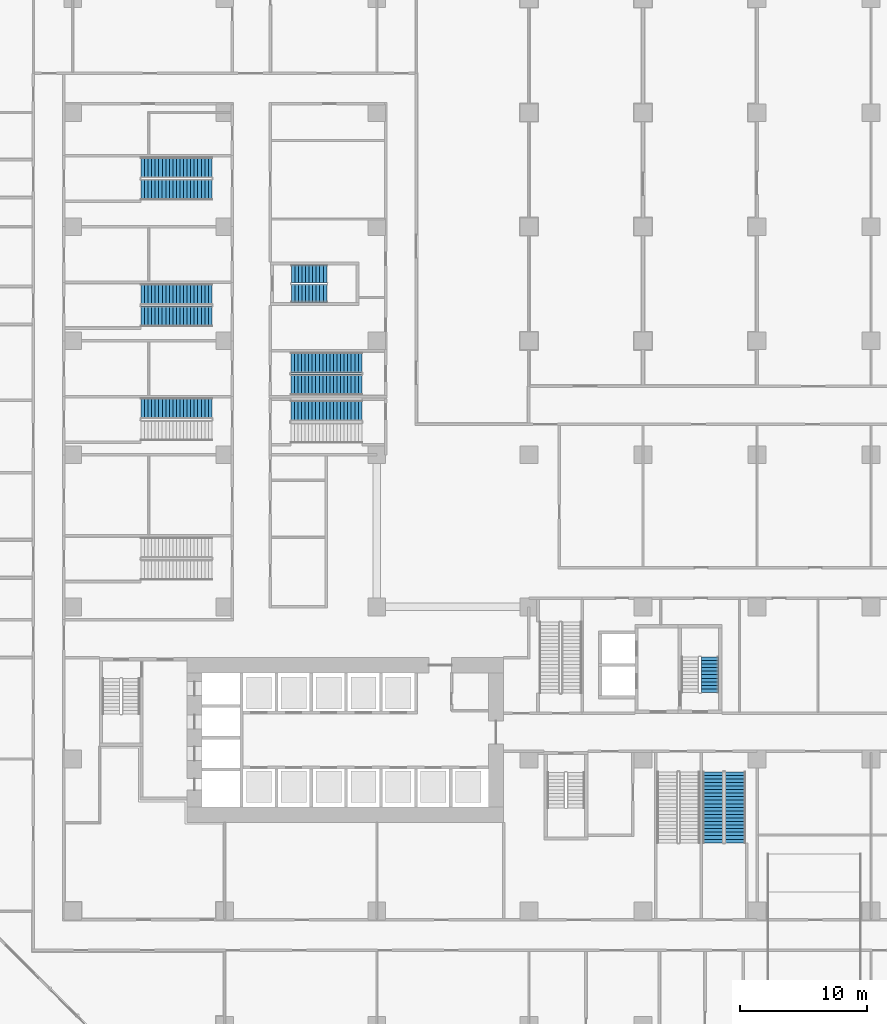
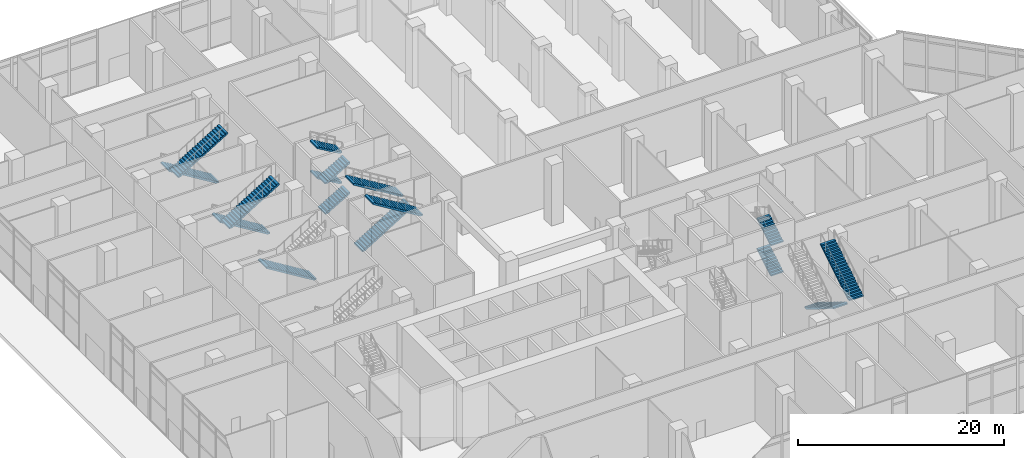
# One storey, part 28 of 34: 16 stair flights, 8 elements without a shape of their own.
"""IFC4 building model written with IfcOpenShell, lengths in metres."""

from ifc_helpers import new_model, si_unit, direction, frame, origin, place, context, subcontext, project, spatial, polyline, outline, extrude, material, type_object, element, aggregate, save


model = new_model("IFC4")

# Units and contexts
model_context = context("Model", 3, precision=1e-05, world=origin(), true_north=direction((0.0, 1.0)))
body_context = subcontext(model_context, "Body", "Model", "MODEL_VIEW")
ifc_project = project(units=[si_unit("LENGTHUNIT", "METRE"), si_unit("AREAUNIT", "SQUARE_METRE"), si_unit("VOLUMEUNIT", "CUBIC_METRE"), si_unit("PLANEANGLEUNIT", "RADIAN"), si_unit("MASSUNIT", "GRAM", prefix="KILO")], contexts=[model_context])

# Site, building, storey
site_placement = place(None, origin())
site = spatial("IfcSite", under=ifc_project, at=site_placement, CompositionType="ELEMENT")
building_placement = place(site_placement, origin())
building = spatial("IfcBuilding", under=site, at=building_placement, Name="Chenar Terraces", CompositionType="ELEMENT")
storey_placement = place(building_placement, origin())
storey = spatial("IfcBuildingStorey", under=building, at=storey_placement, Name="L00", CompositionType="ELEMENT", Elevation=0.0)

# Stair, stair flights
ifc_material_1 = material(Name="Reinforced concrete C40/50", Category="concrete")
stair_type = type_object("IfcStairType", Name="Core stair 1400 half-turn", PredefinedType="HALF_TURN_STAIR", material=ifc_material_1)
placement = place(storey_placement, origin())
stair_1 = element("IfcStair", 1, at=placement, inside=storey, type_object=stair_type, Name="L00 Stair 3", PredefinedType="HALF_TURN_STAIR")
ifc_material_2 = material(Name="Reinforced concrete C40/50", Category="concrete")
stair_flight_type = type_object("IfcStairFlightType", Name="Core stair flight 1400", PredefinedType="STRAIGHT", material=ifc_material_2)
stair_flight_1_placement = place(storey_placement, frame((50.27490234375, 17.25, 0.0), z_axis=(0.0, 0.0, 1.0), x_axis=(0.0, 1.0, 0.0)))
stair_flight_1 = element("IfcStairFlight", 2, at=stair_flight_1_placement, type_object=stair_flight_type, Name="ST3 flight 1", NumberOfRisers=11, NumberOfTreads=10, PredefinedType="STRAIGHT", RiserHeight=0.163636364, TreadLength=0.28, context=body_context, shape_type="SweptSolid", body=[
    extrude(outline(polyline([(-0.0029296875, 0.0), (-0.0029296875, 0.16357421875), (0.0, 0.16357421875), (0.280029296875, 0.16357421875), (0.280029296875, 0.327392578125), (0.56005859375, 0.327392578125), (0.56005859375, 0.490966796875), (0.840087890625, 0.490966796875), (0.840087890625, 0.654541015625), (1.1201171875, 0.654541015625), (1.1201171875, 0.818115234375), (1.39990234375, 0.818115234375), (1.39990234375, 0.98193359375), (1.679931640625, 0.98193359375), (1.679931640625, 1.1455078125), (1.9599609375, 1.1455078125), (1.9599609375, 1.30908203125), (2.239990234375, 1.30908203125), (2.239990234375, 1.47265625), (2.52001953125, 1.47265625), (2.52001953125, 1.636474609375), (2.800048828125, 1.636474609375), (2.802978515625, 1.636474609375), (2.802978515625, 1.462646484375), (2.800048828125, 1.462646484375), (0.297119140625, 0.0), (-0.0029296875, 0.0)])), frame((0.0, 0.699951171875, 0.0), z_axis=(0.0, -1.0, 0.0), x_axis=(1.0, 0.0, 0.0)), (0.0, 0.0, 1.0), 1.39990234375),
])
stair_flight_2_placement = place(storey_placement, frame((50.27490234375, 17.25, 3.60009765625), z_axis=(0.0, 0.0, 1.0), x_axis=(0.0, 1.0, 0.0)))
stair_flight_2 = element("IfcStairFlight", 3, at=stair_flight_2_placement, type_object=stair_flight_type, Name="ST3 flight 3", NumberOfRisers=11, NumberOfTreads=10, PredefinedType="STRAIGHT", RiserHeight=0.163636364, TreadLength=0.28, context=body_context, shape_type="SweptSolid", body=[
    extrude(outline(polyline([(-0.0029296875, 0.0), (-0.0029296875, 0.16357421875), (0.0, 0.16357421875), (0.280029296875, 0.16357421875), (0.280029296875, 0.327392578125), (0.56005859375, 0.327392578125), (0.56005859375, 0.490966796875), (0.840087890625, 0.490966796875), (0.840087890625, 0.654541015625), (1.1201171875, 0.654541015625), (1.1201171875, 0.818115234375), (1.39990234375, 0.818115234375), (1.39990234375, 0.98193359375), (1.679931640625, 0.98193359375), (1.679931640625, 1.1455078125), (1.9599609375, 1.1455078125), (1.9599609375, 1.30908203125), (2.239990234375, 1.30908203125), (2.239990234375, 1.47265625), (2.52001953125, 1.47265625), (2.52001953125, 1.636474609375), (2.800048828125, 1.636474609375), (2.802978515625, 1.636474609375), (2.802978515625, 1.462646484375), (2.800048828125, 1.462646484375), (0.297119140625, 0.0), (-0.0029296875, 0.0)])), frame((0.0, 0.699951171875, 0.0), z_axis=(0.0, -1.0, 0.0), x_axis=(1.0, 0.0, 0.0)), (0.0, 0.0, 1.0), 1.39990234375),
])
aggregate(stair_1, [stair_flight_1, stair_flight_2])

stair_2 = element("IfcStair", 4, at=placement, inside=storey, type_object=stair_type, Name="L00 Stair 4", PredefinedType="HALF_TURN_STAIR")
stair_flight_3_placement = place(storey_placement, frame((17.25, 48.72509765625, 0.0), z_axis=(0.0, 0.0, 1.0), x_axis=(1.0, 0.0, 0.0)))
stair_flight_3 = element("IfcStairFlight", 5, at=stair_flight_3_placement, type_object=stair_flight_type, Name="ST4 flight 1", NumberOfRisers=11, NumberOfTreads=10, PredefinedType="STRAIGHT", RiserHeight=0.163636364, TreadLength=0.28, context=body_context, shape_type="SweptSolid", body=[
    extrude(outline(polyline([(-0.0029296875, 0.0), (-0.0029296875, 0.16357421875), (0.0, 0.16357421875), (0.280029296875, 0.16357421875), (0.280029296875, 0.327392578125), (0.56005859375, 0.327392578125), (0.56005859375, 0.490966796875), (0.840087890625, 0.490966796875), (0.840087890625, 0.654541015625), (1.1201171875, 0.654541015625), (1.1201171875, 0.818115234375), (1.39990234375, 0.818115234375), (1.39990234375, 0.98193359375), (1.679931640625, 0.98193359375), (1.679931640625, 1.1455078125), (1.9599609375, 1.1455078125), (1.9599609375, 1.30908203125), (2.239990234375, 1.30908203125), (2.239990234375, 1.47265625), (2.52001953125, 1.47265625), (2.52001953125, 1.636474609375), (2.800048828125, 1.636474609375), (2.802978515625, 1.636474609375), (2.802978515625, 1.462646484375), (2.800048828125, 1.462646484375), (0.297119140625, 0.0), (-0.0029296875, 0.0)])), frame((0.0, 0.699951171875, 0.0), z_axis=(0.0, -1.0, 0.0), x_axis=(1.0, 0.0, 0.0)), (0.0, 0.0, 1.0), 1.39990234375),
])
stair_flight_4_placement = place(storey_placement, frame((20.050048828125, 50.27490234375, 1.800048828125), z_axis=(0.0, 0.0, 1.0), x_axis=(-1.0, 0.0, 0.0)))
stair_flight_4 = element("IfcStairFlight", 6, at=stair_flight_4_placement, type_object=stair_flight_type, Name="ST4 flight 2", NumberOfRisers=11, NumberOfTreads=10, PredefinedType="STRAIGHT", RiserHeight=0.163636364, TreadLength=0.28, context=body_context, shape_type="SweptSolid", body=[
    extrude(outline(polyline([(-0.0029296875, 0.0), (-0.0029296875, 0.16357421875), (0.0, 0.16357421875), (0.280029296875, 0.16357421875), (0.280029296875, 0.327392578125), (0.56005859375, 0.327392578125), (0.56005859375, 0.490966796875), (0.840087890625, 0.490966796875), (0.840087890625, 0.654541015625), (1.1201171875, 0.654541015625), (1.1201171875, 0.818115234375), (1.39990234375, 0.818115234375), (1.39990234375, 0.98193359375), (1.679931640625, 0.98193359375), (1.679931640625, 1.1455078125), (1.9599609375, 1.1455078125), (1.9599609375, 1.30908203125), (2.239990234375, 1.30908203125), (2.239990234375, 1.47265625), (2.52001953125, 1.47265625), (2.52001953125, 1.636474609375), (2.800048828125, 1.636474609375), (2.802978515625, 1.636474609375), (2.802978515625, 1.462646484375), (2.800048828125, 1.462646484375), (0.297119140625, 0.0), (-0.0029296875, 0.0)])), frame((0.0, 0.699951171875, 0.0), z_axis=(0.0, -1.0, 0.0), x_axis=(1.0, 0.0, 0.0)), (0.0, 0.0, 1.0), 1.39990234375),
])
stair_flight_5_placement = place(storey_placement, frame((17.25, 48.72509765625, 3.60009765625), z_axis=(0.0, 0.0, 1.0), x_axis=(1.0, 0.0, 0.0)))
stair_flight_5 = element("IfcStairFlight", 7, at=stair_flight_5_placement, type_object=stair_flight_type, Name="ST4 flight 3", NumberOfRisers=11, NumberOfTreads=10, PredefinedType="STRAIGHT", RiserHeight=0.163636364, TreadLength=0.28, context=body_context, shape_type="SweptSolid", body=[
    extrude(outline(polyline([(-0.0029296875, 0.0), (-0.0029296875, 0.16357421875), (0.0, 0.16357421875), (0.280029296875, 0.16357421875), (0.280029296875, 0.327392578125), (0.56005859375, 0.327392578125), (0.56005859375, 0.490966796875), (0.840087890625, 0.490966796875), (0.840087890625, 0.654541015625), (1.1201171875, 0.654541015625), (1.1201171875, 0.818115234375), (1.39990234375, 0.818115234375), (1.39990234375, 0.98193359375), (1.679931640625, 0.98193359375), (1.679931640625, 1.1455078125), (1.9599609375, 1.1455078125), (1.9599609375, 1.30908203125), (2.239990234375, 1.30908203125), (2.239990234375, 1.47265625), (2.52001953125, 1.47265625), (2.52001953125, 1.636474609375), (2.800048828125, 1.636474609375), (2.802978515625, 1.636474609375), (2.802978515625, 1.462646484375), (2.800048828125, 1.462646484375), (0.297119140625, 0.0), (-0.0029296875, 0.0)])), frame((0.0, 0.699951171875, 0.0), z_axis=(0.0, -1.0, 0.0), x_axis=(1.0, 0.0, 0.0)), (0.0, 0.0, 1.0), 1.39990234375),
])
stair_flight_6_placement = place(storey_placement, frame((20.050048828125, 50.27490234375, 5.39990234375), z_axis=(0.0, 0.0, 1.0), x_axis=(-1.0, 0.0, 0.0)))
stair_flight_6 = element("IfcStairFlight", 8, at=stair_flight_6_placement, type_object=stair_flight_type, Name="ST4 flight 4", NumberOfRisers=11, NumberOfTreads=10, PredefinedType="STRAIGHT", RiserHeight=0.163636364, TreadLength=0.28, context=body_context, shape_type="SweptSolid", body=[
    extrude(outline(polyline([(-0.0029296875, 0.0), (-0.0029296875, 0.16357421875), (0.0, 0.16357421875), (0.280029296875, 0.16357421875), (0.280029296875, 0.327392578125), (0.56005859375, 0.327392578125), (0.56005859375, 0.490966796875), (0.840087890625, 0.490966796875), (0.840087890625, 0.654541015625), (1.1201171875, 0.654541015625), (1.1201171875, 0.818115234375), (1.39990234375, 0.818115234375), (1.39990234375, 0.98193359375), (1.679931640625, 0.98193359375), (1.679931640625, 1.1455078125), (1.9599609375, 1.1455078125), (1.9599609375, 1.30908203125), (2.239990234375, 1.30908203125), (2.239990234375, 1.47265625), (2.52001953125, 1.47265625), (2.52001953125, 1.636474609375), (2.800048828125, 1.636474609375), (2.802978515625, 1.636474609375), (2.802978515625, 1.462646484375), (2.800048828125, 1.462646484375), (0.297119140625, 0.0), (-0.0029296875, 0.0)])), frame((0.0, 0.699951171875, 0.0), z_axis=(0.0, -1.0, 0.0), x_axis=(1.0, 0.0, 0.0)), (0.0, 0.0, 1.0), 1.39990234375),
])
aggregate(stair_2, [stair_flight_3, stair_flight_4, stair_flight_5, stair_flight_6])

stair_3 = element("IfcStair", 9, at=placement, inside=storey, type_object=stair_type, Name="L00 Exit stair PS2", PredefinedType="HALF_TURN_STAIR")
stair_flight_7_placement = place(storey_placement, frame((50.517578125, 10.985107421875, 0.0), z_axis=(0.0, 0.0, 1.0), x_axis=(0.0, -1.0, 0.0)))
stair_flight_7 = element("IfcStairFlight", 10, at=stair_flight_7_placement, type_object=stair_flight_type, Name="PS2 flight 1", NumberOfRisers=21, NumberOfTreads=20, PredefinedType="STRAIGHT", RiserHeight=0.171428571, TreadLength=0.28, context=body_context, shape_type="SweptSolid", body=[
    extrude(outline(polyline([(-0.0029296875, 0.0), (-0.0029296875, 0.17138671875), (0.0, 0.17138671875), (0.280029296875, 0.17138671875), (0.280029296875, 0.3427734375), (0.56005859375, 0.3427734375), (0.56005859375, 0.514404296875), (0.840087890625, 0.514404296875), (0.840087890625, 0.685791015625), (1.1201171875, 0.685791015625), (1.1201171875, 0.857177734375), (1.39990234375, 0.857177734375), (1.39990234375, 1.028564453125), (1.679931640625, 1.028564453125), (1.679931640625, 1.199951171875), (1.9599609375, 1.199951171875), (1.9599609375, 1.371337890625), (2.239990234375, 1.371337890625), (2.239990234375, 1.54296875), (2.52001953125, 1.54296875), (2.52001953125, 1.71435546875), (2.800048828125, 1.71435546875), (2.800048828125, 1.8857421875), (3.080078125, 1.8857421875), (3.080078125, 2.05712890625), (3.360107421875, 2.05712890625), (3.360107421875, 2.228515625), (3.639892578125, 2.228515625), (3.639892578125, 2.39990234375), (3.919921875, 2.39990234375), (3.919921875, 2.571533203125), (4.199951171875, 2.571533203125), (4.199951171875, 2.742919921875), (4.47998046875, 2.742919921875), (4.47998046875, 2.914306640625), (4.760009765625, 2.914306640625), (4.760009765625, 3.085693359375), (5.0400390625, 3.085693359375), (5.0400390625, 3.257080078125), (5.320068359375, 3.257080078125), (5.320068359375, 3.428466796875), (5.60009765625, 3.428466796875), (5.60302734375, 3.428466796875), (5.60302734375, 3.252685546875), (5.60009765625, 3.252685546875), (0.287109375, 0.0), (-0.0029296875, 0.0)])), frame((0.0, 0.8076171875, 0.0), z_axis=(0.0, -1.0, 0.0), x_axis=(1.0, 0.0, 0.0)), (0.0, 0.0, 1.0), 1.614990234375),
])
stair_flight_8_placement = place(storey_placement, frame((52.282470703125, 5.385009765625, 3.60009765625), z_axis=(0.0, 0.0, 1.0), x_axis=(0.0, 1.0, 0.0)))
stair_flight_8 = element("IfcStairFlight", 11, at=stair_flight_8_placement, type_object=stair_flight_type, Name="PS2 flight 2", NumberOfRisers=21, NumberOfTreads=20, PredefinedType="STRAIGHT", RiserHeight=0.171428571, TreadLength=0.28, context=body_context, shape_type="SweptSolid", body=[
    extrude(outline(polyline([(-0.0029296875, 0.0), (-0.0029296875, 0.17138671875), (0.0, 0.17138671875), (0.280029296875, 0.17138671875), (0.280029296875, 0.3427734375), (0.56005859375, 0.3427734375), (0.56005859375, 0.514404296875), (0.840087890625, 0.514404296875), (0.840087890625, 0.685791015625), (1.1201171875, 0.685791015625), (1.1201171875, 0.857177734375), (1.39990234375, 0.857177734375), (1.39990234375, 1.028564453125), (1.679931640625, 1.028564453125), (1.679931640625, 1.199951171875), (1.9599609375, 1.199951171875), (1.9599609375, 1.371337890625), (2.239990234375, 1.371337890625), (2.239990234375, 1.54296875), (2.52001953125, 1.54296875), (2.52001953125, 1.71435546875), (2.800048828125, 1.71435546875), (2.800048828125, 1.8857421875), (3.080078125, 1.8857421875), (3.080078125, 2.05712890625), (3.360107421875, 2.05712890625), (3.360107421875, 2.228515625), (3.639892578125, 2.228515625), (3.639892578125, 2.39990234375), (3.919921875, 2.39990234375), (3.919921875, 2.571533203125), (4.199951171875, 2.571533203125), (4.199951171875, 2.742919921875), (4.47998046875, 2.742919921875), (4.47998046875, 2.914306640625), (4.760009765625, 2.914306640625), (4.760009765625, 3.085693359375), (5.0400390625, 3.085693359375), (5.0400390625, 3.257080078125), (5.320068359375, 3.257080078125), (5.320068359375, 3.428466796875), (5.60009765625, 3.428466796875), (5.60302734375, 3.428466796875), (5.60302734375, 3.252685546875), (5.60009765625, 3.252685546875), (0.287109375, 0.0), (-0.0029296875, 0.0)])), frame((0.0, 0.8076171875, 0.0), z_axis=(0.0, -1.0, 0.0), x_axis=(1.0, 0.0, 0.0)), (0.0, 0.0, 1.0), 1.614990234375),
])
aggregate(stair_3, [stair_flight_7, stair_flight_8])

stair_4 = element("IfcStair", 12, at=placement, inside=storey, type_object=stair_type, Name="L00 Exit stair PS3", PredefinedType="HALF_TURN_STAIR")
stair_flight_9_placement = place(storey_placement, frame((10.985107421875, 58.6826171875, 0.0), z_axis=(0.0, 0.0, 1.0), x_axis=(-1.0, 0.0, 0.0)))
stair_flight_9 = element("IfcStairFlight", 13, at=stair_flight_9_placement, type_object=stair_flight_type, Name="PS3 flight 1", NumberOfRisers=21, NumberOfTreads=20, PredefinedType="STRAIGHT", RiserHeight=0.171428571, TreadLength=0.28, context=body_context, shape_type="SweptSolid", body=[
    extrude(outline(polyline([(-0.0029296875, 0.0), (-0.0029296875, 0.17138671875), (0.0, 0.17138671875), (0.280029296875, 0.17138671875), (0.280029296875, 0.3427734375), (0.56005859375, 0.3427734375), (0.56005859375, 0.514404296875), (0.840087890625, 0.514404296875), (0.840087890625, 0.685791015625), (1.1201171875, 0.685791015625), (1.1201171875, 0.857177734375), (1.39990234375, 0.857177734375), (1.39990234375, 1.028564453125), (1.679931640625, 1.028564453125), (1.679931640625, 1.199951171875), (1.9599609375, 1.199951171875), (1.9599609375, 1.371337890625), (2.239990234375, 1.371337890625), (2.239990234375, 1.54296875), (2.52001953125, 1.54296875), (2.52001953125, 1.71435546875), (2.800048828125, 1.71435546875), (2.800048828125, 1.8857421875), (3.080078125, 1.8857421875), (3.080078125, 2.05712890625), (3.360107421875, 2.05712890625), (3.360107421875, 2.228515625), (3.639892578125, 2.228515625), (3.639892578125, 2.39990234375), (3.919921875, 2.39990234375), (3.919921875, 2.571533203125), (4.199951171875, 2.571533203125), (4.199951171875, 2.742919921875), (4.47998046875, 2.742919921875), (4.47998046875, 2.914306640625), (4.760009765625, 2.914306640625), (4.760009765625, 3.085693359375), (5.0400390625, 3.085693359375), (5.0400390625, 3.257080078125), (5.320068359375, 3.257080078125), (5.320068359375, 3.428466796875), (5.60009765625, 3.428466796875), (5.60302734375, 3.428466796875), (5.60302734375, 3.252685546875), (5.60009765625, 3.252685546875), (0.287109375, 0.0), (-0.0029296875, 0.0)])), frame((0.0, 0.8076171875, 0.0), z_axis=(0.0, -1.0, 0.0), x_axis=(1.0, 0.0, 0.0)), (0.0, 0.0, 1.0), 1.614990234375),
])
stair_flight_10_placement = place(storey_placement, frame((5.385009765625, 56.91748046875, 3.60009765625), z_axis=(0.0, 0.0, 1.0), x_axis=(1.0, 0.0, 0.0)))
stair_flight_10 = element("IfcStairFlight", 14, at=stair_flight_10_placement, type_object=stair_flight_type, Name="PS3 flight 2", NumberOfRisers=21, NumberOfTreads=20, PredefinedType="STRAIGHT", RiserHeight=0.171428571, TreadLength=0.28, context=body_context, shape_type="SweptSolid", body=[
    extrude(outline(polyline([(-0.0029296875, 0.0), (-0.0029296875, 0.17138671875), (0.0, 0.17138671875), (0.280029296875, 0.17138671875), (0.280029296875, 0.3427734375), (0.56005859375, 0.3427734375), (0.56005859375, 0.514404296875), (0.840087890625, 0.514404296875), (0.840087890625, 0.685791015625), (1.1201171875, 0.685791015625), (1.1201171875, 0.857177734375), (1.39990234375, 0.857177734375), (1.39990234375, 1.028564453125), (1.679931640625, 1.028564453125), (1.679931640625, 1.199951171875), (1.9599609375, 1.199951171875), (1.9599609375, 1.371337890625), (2.239990234375, 1.371337890625), (2.239990234375, 1.54296875), (2.52001953125, 1.54296875), (2.52001953125, 1.71435546875), (2.800048828125, 1.71435546875), (2.800048828125, 1.8857421875), (3.080078125, 1.8857421875), (3.080078125, 2.05712890625), (3.360107421875, 2.05712890625), (3.360107421875, 2.228515625), (3.639892578125, 2.228515625), (3.639892578125, 2.39990234375), (3.919921875, 2.39990234375), (3.919921875, 2.571533203125), (4.199951171875, 2.571533203125), (4.199951171875, 2.742919921875), (4.47998046875, 2.742919921875), (4.47998046875, 2.914306640625), (4.760009765625, 2.914306640625), (4.760009765625, 3.085693359375), (5.0400390625, 3.085693359375), (5.0400390625, 3.257080078125), (5.320068359375, 3.257080078125), (5.320068359375, 3.428466796875), (5.60009765625, 3.428466796875), (5.60302734375, 3.428466796875), (5.60302734375, 3.252685546875), (5.60009765625, 3.252685546875), (0.287109375, 0.0), (-0.0029296875, 0.0)])), frame((0.0, 0.8076171875, 0.0), z_axis=(0.0, -1.0, 0.0), x_axis=(1.0, 0.0, 0.0)), (0.0, 0.0, 1.0), 1.614990234375),
])
aggregate(stair_4, [stair_flight_9, stair_flight_10])

stair_5 = element("IfcStair", 15, at=placement, inside=storey, type_object=stair_type, Name="L00 Exit stair PS4", PredefinedType="HALF_TURN_STAIR")
stair_flight_11_placement = place(storey_placement, frame((10.985107421875, 48.6826171875, 0.0), z_axis=(0.0, 0.0, 1.0), x_axis=(-1.0, 0.0, 0.0)))
stair_flight_11 = element("IfcStairFlight", 16, at=stair_flight_11_placement, type_object=stair_flight_type, Name="PS4 flight 1", NumberOfRisers=21, NumberOfTreads=20, PredefinedType="STRAIGHT", RiserHeight=0.171428571, TreadLength=0.28, context=body_context, shape_type="SweptSolid", body=[
    extrude(outline(polyline([(-0.0029296875, 0.0), (-0.0029296875, 0.17138671875), (0.0, 0.17138671875), (0.280029296875, 0.17138671875), (0.280029296875, 0.3427734375), (0.56005859375, 0.3427734375), (0.56005859375, 0.514404296875), (0.840087890625, 0.514404296875), (0.840087890625, 0.685791015625), (1.1201171875, 0.685791015625), (1.1201171875, 0.857177734375), (1.39990234375, 0.857177734375), (1.39990234375, 1.028564453125), (1.679931640625, 1.028564453125), (1.679931640625, 1.199951171875), (1.9599609375, 1.199951171875), (1.9599609375, 1.371337890625), (2.239990234375, 1.371337890625), (2.239990234375, 1.54296875), (2.52001953125, 1.54296875), (2.52001953125, 1.71435546875), (2.800048828125, 1.71435546875), (2.800048828125, 1.8857421875), (3.080078125, 1.8857421875), (3.080078125, 2.05712890625), (3.360107421875, 2.05712890625), (3.360107421875, 2.228515625), (3.639892578125, 2.228515625), (3.639892578125, 2.39990234375), (3.919921875, 2.39990234375), (3.919921875, 2.571533203125), (4.199951171875, 2.571533203125), (4.199951171875, 2.742919921875), (4.47998046875, 2.742919921875), (4.47998046875, 2.914306640625), (4.760009765625, 2.914306640625), (4.760009765625, 3.085693359375), (5.0400390625, 3.085693359375), (5.0400390625, 3.257080078125), (5.320068359375, 3.257080078125), (5.320068359375, 3.428466796875), (5.60009765625, 3.428466796875), (5.60302734375, 3.428466796875), (5.60302734375, 3.252685546875), (5.60009765625, 3.252685546875), (0.287109375, 0.0), (-0.0029296875, 0.0)])), frame((0.0, 0.8076171875, 0.0), z_axis=(0.0, -1.0, 0.0), x_axis=(1.0, 0.0, 0.0)), (0.0, 0.0, 1.0), 1.614990234375),
])
stair_flight_12_placement = place(storey_placement, frame((5.385009765625, 46.91748046875, 3.60009765625), z_axis=(0.0, 0.0, 1.0), x_axis=(1.0, 0.0, 0.0)))
stair_flight_12 = element("IfcStairFlight", 17, at=stair_flight_12_placement, type_object=stair_flight_type, Name="PS4 flight 2", NumberOfRisers=21, NumberOfTreads=20, PredefinedType="STRAIGHT", RiserHeight=0.171428571, TreadLength=0.28, context=body_context, shape_type="SweptSolid", body=[
    extrude(outline(polyline([(-0.0029296875, 0.0), (-0.0029296875, 0.17138671875), (0.0, 0.17138671875), (0.280029296875, 0.17138671875), (0.280029296875, 0.3427734375), (0.56005859375, 0.3427734375), (0.56005859375, 0.514404296875), (0.840087890625, 0.514404296875), (0.840087890625, 0.685791015625), (1.1201171875, 0.685791015625), (1.1201171875, 0.857177734375), (1.39990234375, 0.857177734375), (1.39990234375, 1.028564453125), (1.679931640625, 1.028564453125), (1.679931640625, 1.199951171875), (1.9599609375, 1.199951171875), (1.9599609375, 1.371337890625), (2.239990234375, 1.371337890625), (2.239990234375, 1.54296875), (2.52001953125, 1.54296875), (2.52001953125, 1.71435546875), (2.800048828125, 1.71435546875), (2.800048828125, 1.8857421875), (3.080078125, 1.8857421875), (3.080078125, 2.05712890625), (3.360107421875, 2.05712890625), (3.360107421875, 2.228515625), (3.639892578125, 2.228515625), (3.639892578125, 2.39990234375), (3.919921875, 2.39990234375), (3.919921875, 2.571533203125), (4.199951171875, 2.571533203125), (4.199951171875, 2.742919921875), (4.47998046875, 2.742919921875), (4.47998046875, 2.914306640625), (4.760009765625, 2.914306640625), (4.760009765625, 3.085693359375), (5.0400390625, 3.085693359375), (5.0400390625, 3.257080078125), (5.320068359375, 3.257080078125), (5.320068359375, 3.428466796875), (5.60009765625, 3.428466796875), (5.60302734375, 3.428466796875), (5.60302734375, 3.252685546875), (5.60009765625, 3.252685546875), (0.287109375, 0.0), (-0.0029296875, 0.0)])), frame((0.0, 0.8076171875, 0.0), z_axis=(0.0, -1.0, 0.0), x_axis=(1.0, 0.0, 0.0)), (0.0, 0.0, 1.0), 1.614990234375),
])
aggregate(stair_5, [stair_flight_11, stair_flight_12])

# Stair, stair flight
stair_6 = element("IfcStair", 18, at=placement, inside=storey, type_object=stair_type, Name="L00 Exit stair PS7", PredefinedType="HALF_TURN_STAIR")
stair_flight_13_placement = place(storey_placement, frame((22.81494140625, 39.482421875, 3.60009765625), z_axis=(0.0, 0.0, 1.0), x_axis=(-1.0, 0.0, 0.0)))
stair_flight_13 = element("IfcStairFlight", 19, at=stair_flight_13_placement, type_object=stair_flight_type, Name="PS7 flight 2", NumberOfRisers=21, NumberOfTreads=20, PredefinedType="STRAIGHT", RiserHeight=0.171428571, TreadLength=0.28, context=body_context, shape_type="SweptSolid", body=[
    extrude(outline(polyline([(-0.0029296875, 0.0), (-0.0029296875, 0.17138671875), (0.0, 0.17138671875), (0.280029296875, 0.17138671875), (0.280029296875, 0.3427734375), (0.56005859375, 0.3427734375), (0.56005859375, 0.514404296875), (0.840087890625, 0.514404296875), (0.840087890625, 0.685791015625), (1.1201171875, 0.685791015625), (1.1201171875, 0.857177734375), (1.39990234375, 0.857177734375), (1.39990234375, 1.028564453125), (1.679931640625, 1.028564453125), (1.679931640625, 1.199951171875), (1.9599609375, 1.199951171875), (1.9599609375, 1.371337890625), (2.239990234375, 1.371337890625), (2.239990234375, 1.54296875), (2.52001953125, 1.54296875), (2.52001953125, 1.71435546875), (2.800048828125, 1.71435546875), (2.800048828125, 1.8857421875), (3.080078125, 1.8857421875), (3.080078125, 2.05712890625), (3.360107421875, 2.05712890625), (3.360107421875, 2.228515625), (3.639892578125, 2.228515625), (3.639892578125, 2.39990234375), (3.919921875, 2.39990234375), (3.919921875, 2.571533203125), (4.199951171875, 2.571533203125), (4.199951171875, 2.742919921875), (4.47998046875, 2.742919921875), (4.47998046875, 2.914306640625), (4.760009765625, 2.914306640625), (4.760009765625, 3.085693359375), (5.0400390625, 3.085693359375), (5.0400390625, 3.257080078125), (5.320068359375, 3.257080078125), (5.320068359375, 3.428466796875), (5.60009765625, 3.428466796875), (5.60302734375, 3.428466796875), (5.60302734375, 3.252685546875), (5.60009765625, 3.252685546875), (0.287109375, 0.0), (-0.0029296875, 0.0)])), frame((0.0, 0.8076171875, 0.0), z_axis=(0.0, -1.0, 0.0), x_axis=(1.0, 0.0, 0.0)), (0.0, 0.0, 1.0), 1.614990234375),
])
aggregate(stair_6, [stair_flight_13])

# Stair, stair flights
stair_7 = element("IfcStair", 20, at=placement, inside=storey, type_object=stair_type, Name="L00 Exit stair PS8", PredefinedType="HALF_TURN_STAIR")
stair_flight_14_placement = place(storey_placement, frame((17.215087890625, 41.517578125, 0.0), z_axis=(0.0, 0.0, 1.0), x_axis=(1.0, 0.0, 0.0)))
stair_flight_14 = element("IfcStairFlight", 21, at=stair_flight_14_placement, type_object=stair_flight_type, Name="PS8 flight 1", NumberOfRisers=21, NumberOfTreads=20, PredefinedType="STRAIGHT", RiserHeight=0.171428571, TreadLength=0.28, context=body_context, shape_type="SweptSolid", body=[
    extrude(outline(polyline([(-0.0029296875, 0.0), (-0.0029296875, 0.17138671875), (0.0, 0.17138671875), (0.280029296875, 0.17138671875), (0.280029296875, 0.3427734375), (0.56005859375, 0.3427734375), (0.56005859375, 0.514404296875), (0.840087890625, 0.514404296875), (0.840087890625, 0.685791015625), (1.1201171875, 0.685791015625), (1.1201171875, 0.857177734375), (1.39990234375, 0.857177734375), (1.39990234375, 1.028564453125), (1.679931640625, 1.028564453125), (1.679931640625, 1.199951171875), (1.9599609375, 1.199951171875), (1.9599609375, 1.371337890625), (2.239990234375, 1.371337890625), (2.239990234375, 1.54296875), (2.52001953125, 1.54296875), (2.52001953125, 1.71435546875), (2.800048828125, 1.71435546875), (2.800048828125, 1.8857421875), (3.080078125, 1.8857421875), (3.080078125, 2.05712890625), (3.360107421875, 2.05712890625), (3.360107421875, 2.228515625), (3.639892578125, 2.228515625), (3.639892578125, 2.39990234375), (3.919921875, 2.39990234375), (3.919921875, 2.571533203125), (4.199951171875, 2.571533203125), (4.199951171875, 2.742919921875), (4.47998046875, 2.742919921875), (4.47998046875, 2.914306640625), (4.760009765625, 2.914306640625), (4.760009765625, 3.085693359375), (5.0400390625, 3.085693359375), (5.0400390625, 3.257080078125), (5.320068359375, 3.257080078125), (5.320068359375, 3.428466796875), (5.60009765625, 3.428466796875), (5.60302734375, 3.428466796875), (5.60302734375, 3.252685546875), (5.60009765625, 3.252685546875), (0.287109375, 0.0), (-0.0029296875, 0.0)])), frame((0.0, 0.8076171875, 0.0), z_axis=(0.0, -1.0, 0.0), x_axis=(1.0, 0.0, 0.0)), (0.0, 0.0, 1.0), 1.614990234375),
])
stair_flight_15_placement = place(storey_placement, frame((22.81494140625, 43.282470703125, 3.60009765625), z_axis=(0.0, 0.0, 1.0), x_axis=(-1.0, 0.0, 0.0)))
stair_flight_15 = element("IfcStairFlight", 22, at=stair_flight_15_placement, type_object=stair_flight_type, Name="PS8 flight 2", NumberOfRisers=21, NumberOfTreads=20, PredefinedType="STRAIGHT", RiserHeight=0.171428571, TreadLength=0.28, context=body_context, shape_type="SweptSolid", body=[
    extrude(outline(polyline([(-0.0029296875, 0.0), (-0.0029296875, 0.17138671875), (0.0, 0.17138671875), (0.280029296875, 0.17138671875), (0.280029296875, 0.3427734375), (0.56005859375, 0.3427734375), (0.56005859375, 0.514404296875), (0.840087890625, 0.514404296875), (0.840087890625, 0.685791015625), (1.1201171875, 0.685791015625), (1.1201171875, 0.857177734375), (1.39990234375, 0.857177734375), (1.39990234375, 1.028564453125), (1.679931640625, 1.028564453125), (1.679931640625, 1.199951171875), (1.9599609375, 1.199951171875), (1.9599609375, 1.371337890625), (2.239990234375, 1.371337890625), (2.239990234375, 1.54296875), (2.52001953125, 1.54296875), (2.52001953125, 1.71435546875), (2.800048828125, 1.71435546875), (2.800048828125, 1.8857421875), (3.080078125, 1.8857421875), (3.080078125, 2.05712890625), (3.360107421875, 2.05712890625), (3.360107421875, 2.228515625), (3.639892578125, 2.228515625), (3.639892578125, 2.39990234375), (3.919921875, 2.39990234375), (3.919921875, 2.571533203125), (4.199951171875, 2.571533203125), (4.199951171875, 2.742919921875), (4.47998046875, 2.742919921875), (4.47998046875, 2.914306640625), (4.760009765625, 2.914306640625), (4.760009765625, 3.085693359375), (5.0400390625, 3.085693359375), (5.0400390625, 3.257080078125), (5.320068359375, 3.257080078125), (5.320068359375, 3.428466796875), (5.60009765625, 3.428466796875), (5.60302734375, 3.428466796875), (5.60302734375, 3.252685546875), (5.60009765625, 3.252685546875), (0.287109375, 0.0), (-0.0029296875, 0.0)])), frame((0.0, 0.8076171875, 0.0), z_axis=(0.0, -1.0, 0.0), x_axis=(1.0, 0.0, 0.0)), (0.0, 0.0, 1.0), 1.614990234375),
])
aggregate(stair_7, [stair_flight_14, stair_flight_15])

# Stair, stair flight
stair_8 = element("IfcStair", 23, at=placement, inside=storey, type_object=stair_type, Name="L00 Exit stair PS9", PredefinedType="HALF_TURN_STAIR")
stair_flight_16_placement = place(storey_placement, frame((10.985107421875, 39.6826171875, 0.0), z_axis=(0.0, 0.0, 1.0), x_axis=(-1.0, 0.0, 0.0)))
stair_flight_16 = element("IfcStairFlight", 24, at=stair_flight_16_placement, type_object=stair_flight_type, Name="PS9 flight 1", NumberOfRisers=21, NumberOfTreads=20, PredefinedType="STRAIGHT", RiserHeight=0.171428571, TreadLength=0.28, context=body_context, shape_type="SweptSolid", body=[
    extrude(outline(polyline([(-0.0029296875, 0.0), (-0.0029296875, 0.17138671875), (0.0, 0.17138671875), (0.280029296875, 0.17138671875), (0.280029296875, 0.3427734375), (0.56005859375, 0.3427734375), (0.56005859375, 0.514404296875), (0.840087890625, 0.514404296875), (0.840087890625, 0.685791015625), (1.1201171875, 0.685791015625), (1.1201171875, 0.857177734375), (1.39990234375, 0.857177734375), (1.39990234375, 1.028564453125), (1.679931640625, 1.028564453125), (1.679931640625, 1.199951171875), (1.9599609375, 1.199951171875), (1.9599609375, 1.371337890625), (2.239990234375, 1.371337890625), (2.239990234375, 1.54296875), (2.52001953125, 1.54296875), (2.52001953125, 1.71435546875), (2.800048828125, 1.71435546875), (2.800048828125, 1.8857421875), (3.080078125, 1.8857421875), (3.080078125, 2.05712890625), (3.360107421875, 2.05712890625), (3.360107421875, 2.228515625), (3.639892578125, 2.228515625), (3.639892578125, 2.39990234375), (3.919921875, 2.39990234375), (3.919921875, 2.571533203125), (4.199951171875, 2.571533203125), (4.199951171875, 2.742919921875), (4.47998046875, 2.742919921875), (4.47998046875, 2.914306640625), (4.760009765625, 2.914306640625), (4.760009765625, 3.085693359375), (5.0400390625, 3.085693359375), (5.0400390625, 3.257080078125), (5.320068359375, 3.257080078125), (5.320068359375, 3.428466796875), (5.60009765625, 3.428466796875), (5.60302734375, 3.428466796875), (5.60302734375, 3.252685546875), (5.60009765625, 3.252685546875), (0.287109375, 0.0), (-0.0029296875, 0.0)])), frame((0.0, 0.8076171875, 0.0), z_axis=(0.0, -1.0, 0.0), x_axis=(1.0, 0.0, 0.0)), (0.0, 0.0, 1.0), 1.614990234375),
])
aggregate(stair_8, [stair_flight_16])

save(model, "model.ifc")
